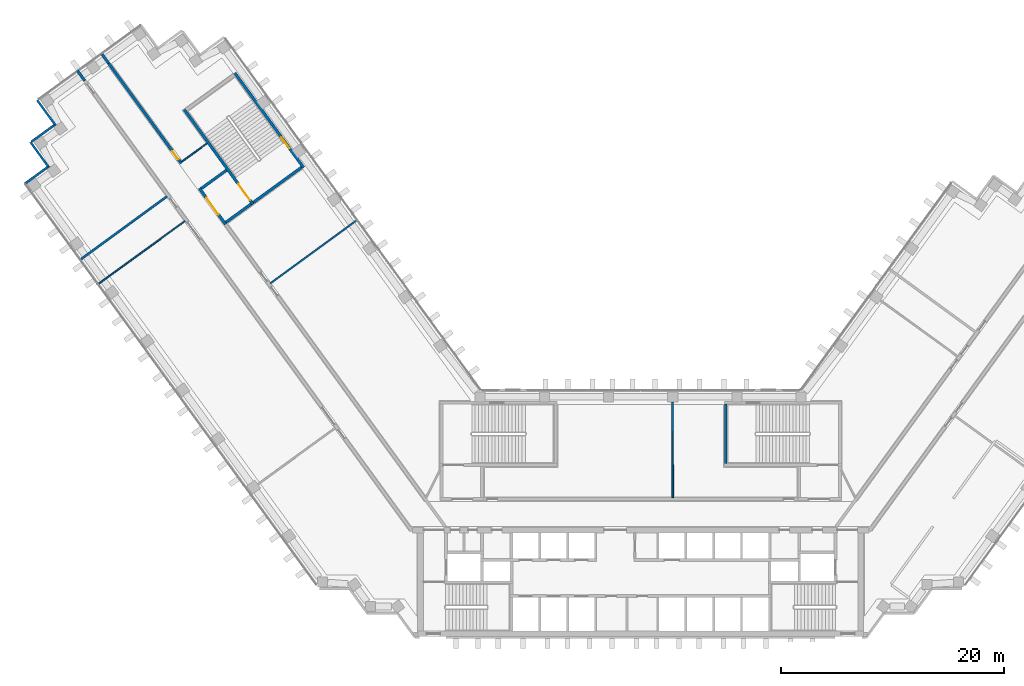
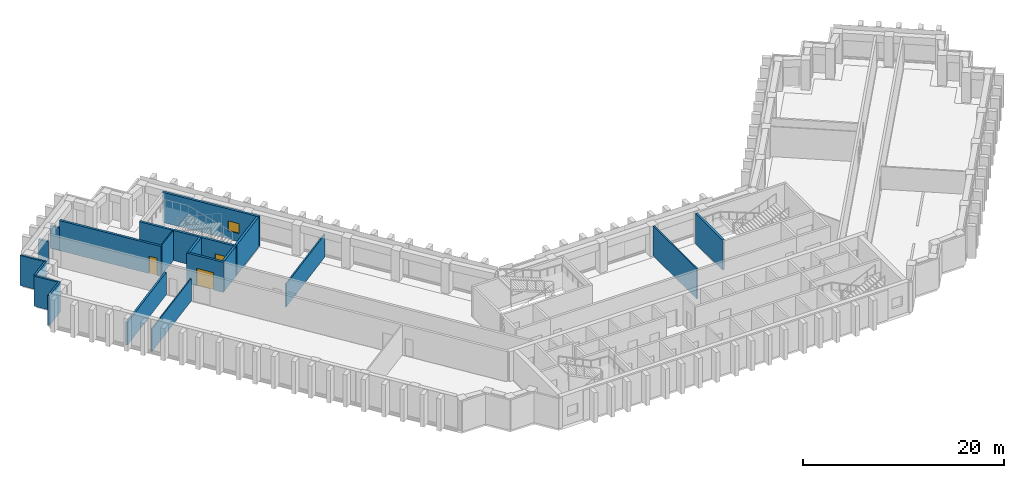
# One storey, part 7 of 12: 19 walls, 3 doors, 1 window, 4 openings.
"""IFC4 building model written with IfcOpenShell, lengths in metres."""

from ifc_helpers import new_model, si_unit, direction, frame, frame_2d, origin, place, context, subcontext, project, spatial, rectangle, extrude, material, layer, layer_set, type_object, element, fill, save


model = new_model("IFC4")

# Units and contexts
model_context = context("Model", 3, precision=1e-05, world=origin(), true_north=direction((0.0, 1.0)))
body_context = subcontext(model_context, "Body", "Model", "MODEL_VIEW")
ifc_project = project(units=[si_unit("LENGTHUNIT", "METRE"), si_unit("AREAUNIT", "SQUARE_METRE"), si_unit("VOLUMEUNIT", "CUBIC_METRE"), si_unit("PLANEANGLEUNIT", "RADIAN"), si_unit("MASSUNIT", "GRAM", prefix="KILO")], contexts=[model_context])

# Site, building, storey
site_placement = place(None, origin())
site = spatial("IfcSite", under=ifc_project, at=site_placement, CompositionType="ELEMENT")
building_placement = place(site_placement, origin())
building = spatial("IfcBuilding", under=site, at=building_placement, Name="Quipu Civic Tower", CompositionType="ELEMENT")
storey_placement = place(building_placement, frame((0.0, 0.0, 109.0)))
storey = spatial("IfcBuildingStorey", under=building, at=storey_placement, Name="L25", CompositionType="ELEMENT", Elevation=109.0)

# Walls
ifc_material_1 = material(Name="Double gypsum plasterboard with mineral wool")
ifc_layer_1 = layer(ifc_material_1, 0.14990234375)
ifc_layer_set_1 = layer_set([ifc_layer_1], Name="Double gypsum plasterboard with mineral wool")
wall_type_1 = type_object("IfcWallType", Name="Acoustic partition 150 plasterboard", PredefinedType="PARTITIONING", material=ifc_layer_set_1)
wall_1_placement = place(storey_placement, frame((-33.22998046875, 20.677001953125, 0.0), z_axis=(0.0, 0.0, 1.0), x_axis=(0.807610282865, 0.589716568371, 0.0)))
element("IfcWall", 1, at=wall_1_placement, inside=storey, type_object=wall_type_1, Name="Partition P03", PredefinedType="PARTITIONING", context=body_context, shape_type="SweptSolid", body=[
    extrude(rectangle(XDim=9.549560546875, YDim=0.14990234375, at=frame_2d((4.77490234375, 0.0))), origin(), (0.0, 0.0, 1.0), 2.75),
])
wall_2_placement = place(storey_placement, frame((2.87890625, 1.449951171875, 0.0), z_axis=(0.0, 0.0, 1.0), x_axis=(-0.002357613104, 0.999997220826, 0.0)))
element("IfcWall", 2, at=wall_2_placement, inside=storey, type_object=wall_type_1, Name="Partition P05", PredefinedType="PARTITIONING", context=body_context, shape_type="SweptSolid", body=[
    extrude(rectangle(XDim=8.594970703125, YDim=0.14990234375, at=frame_2d((4.29736328125, 0.0))), origin(), (0.0, 0.0, 1.0), 3.64990234375),
])
ifc_material_2 = material(Name="Fired clay blockwork", Category="masonry")
ifc_layer_2 = layer(ifc_material_2, 0.199951171875)
ifc_layer_set_2 = layer_set([ifc_layer_2], Name="Fired clay blockwork")
wall_type_2 = type_object("IfcWallType", Name="Blockwork wall 200", PredefinedType="SOLIDWALL", material=ifc_layer_set_2)
wall_3_placement = place(storey_placement, frame((-50.202392578125, 22.85546875, 0.0), z_axis=(0.0, 0.0, 1.0), x_axis=(0.807642555839, 0.589672368352, 0.0)))
element("IfcWall", 3, at=wall_3_placement, inside=storey, type_object=wall_type_2, Name="Partition P08", PredefinedType="SOLIDWALL", context=body_context, shape_type="SweptSolid", body=[
    extrude(rectangle(XDim=9.55078125, YDim=0.199951171875, at=frame_2d((4.775390625, 0.0))), origin(), (0.0, 0.0, 1.0), 2.75),
])
ifc_material_3 = material(Name="Concrete C70/85", Category="concrete")
ifc_layer_3 = layer(ifc_material_3, 0.25)
ifc_layer_set_3 = layer_set([ifc_layer_3], Name="Concrete C70/85")
wall_type_3 = type_object("IfcWallType", Name="Core wall 250", PredefinedType="SHEAR", material=ifc_layer_set_3)
wall_4_placement = place(storey_placement, frame((7.625, 4.5, 0.0), z_axis=(0.0, 0.0, 1.0), x_axis=(0.0, 1.0, 0.0)))
element("IfcWall", 4, at=wall_4_placement, inside=storey, type_object=wall_type_3, Name="Core wall", PredefinedType="SHEAR", context=body_context, shape_type="SweptSolid", body=[
    extrude(rectangle(XDim=5.35009765625, YDim=0.25, at=frame_2d((2.675048828125, 0.0))), origin(), (0.0, 0.0, 1.0), 3.64990234375),
])

# Wall, opening, window
wall_5_placement = place(storey_placement, frame((-30.239501953125, 31.06396484375, 0.0), z_axis=(0.0, 0.0, 1.0), x_axis=(-0.587795589702, 0.809009483706, 0.0)))
wall_5 = element("IfcWall", 5, at=wall_5_placement, inside=storey, type_object=wall_type_3, Name="Core wall", PredefinedType="SHEAR", context=body_context, shape_type="SweptSolid", body=[
    extrude(rectangle(XDim=10.5, YDim=0.25, at=frame_2d((5.25, 0.0))), origin(), (0.0, 0.0, 1.0), 3.64990234375),
])
opening_1_placement = place(wall_5_placement, frame((2.14990234375, 0.0, 1.0)))
opening_1 = element("IfcOpeningElement", 6, at=opening_1_placement, cuts=wall_5, Name="Opening SV-6", PredefinedType="OPENING", context=body_context, shape_type="SweptSolid", body=[
    extrude(rectangle(XDim=1.199951171875, YDim=1.199951171875, at=frame_2d((0.60009765625, 0.60009765625))), frame((0.0, 0.135009765625, 0.0), z_axis=(0.0, -1.0, 0.0), x_axis=(1.0, 0.0, 0.0)), (0.0, 0.0, 1.0), 0.27001953125),
])
ifc_material_4 = material(Name="Aluminium louvre", Category="aluminium")
window_type = type_object("IfcWindowType", Name="Stair ventilation louvre 1200 x 1200", PartitioningType="SINGLE_PANEL", PredefinedType="WINDOW", material=ifc_material_4)
window_placement = place(opening_1_placement, origin())
window = element("IfcWindow", 7, at=window_placement, inside=storey, type_object=window_type, Name="Stair ventilation opening", OverallHeight=1.199951171875, OverallWidth=1.199951171875, PartitioningType="SINGLE_PANEL", PredefinedType="WINDOW", context=body_context, shape_type="SweptSolid", body=[
    extrude(rectangle(XDim=1.199951171875, YDim=1.199951171875, at=frame_2d((0.60009765625, 0.60009765625))), frame((0.0, 0.030029296875, 0.0), z_axis=(0.0, -1.0, 0.0), x_axis=(1.0, 0.0, 0.0)), (0.0, 0.0, 1.0), 0.06005859375),
])
fill(opening_1, window)

# Wall
wall_6_placement = place(storey_placement, frame((-30.414306640625, 31.091796875, 0.0), z_axis=(0.0, 0.0, 1.0), x_axis=(-0.8089984606, -0.587810760999, 0.0)))
element("IfcWall", 8, at=wall_6_placement, inside=storey, type_object=wall_type_3, Name="Core wall", PredefinedType="SHEAR", context=body_context, shape_type="SweptSolid", body=[
    extrude(rectangle(XDim=5.35009765625, YDim=0.25, at=frame_2d((2.675048828125, 0.0))), origin(), (0.0, 0.0, 1.0), 3.64990234375),
])

# Wall, opening, door
wall_7_placement = place(storey_placement, frame((-40.94189453125, 36.26708984375, 0.0), z_axis=(0.0, 0.0, 1.0), x_axis=(0.587795589702, -0.809009483706, 0.0)))
wall_7 = element("IfcWall", 9, at=wall_7_placement, inside=storey, type_object=wall_type_3, Name="Core wall", PredefinedType="SHEAR", context=body_context, shape_type="SweptSolid", body=[
    extrude(rectangle(XDim=10.5, YDim=0.25, at=frame_2d((5.25, 0.0))), origin(), (0.0, 0.0, 1.0), 3.64990234375),
])
opening_2_placement = place(wall_7_placement, frame((8.25, 0.0, 0.0)))
opening_2 = element("IfcOpeningElement", 10, at=opening_2_placement, cuts=wall_7, Name="Opening CD-18", PredefinedType="OPENING", context=body_context, shape_type="SweptSolid", body=[
    extrude(rectangle(XDim=1.800048828125, YDim=2.10009765625, at=frame_2d((0.89990234375, 1.050048828125))), frame((0.0, 0.135009765625, 0.0), z_axis=(0.0, -1.0, 0.0), x_axis=(1.0, 0.0, 0.0)), (0.0, 0.0, 1.0), 0.27001953125),
])
ifc_material_5 = material(Name="Fire rated steel door", Category="steel")
door_type_1 = type_object("IfcDoorType", Name="Fire door FD90 double 1800 x 2100", OperationType="NOTDEFINED", PredefinedType="DOOR", material=ifc_material_5)
door_1_placement = place(opening_2_placement, origin())
door_1 = element("IfcDoor", 11, at=door_1_placement, inside=storey, type_object=door_type_1, Name="Door", OperationType="DOUBLE_DOOR_SINGLE_SWING", OverallHeight=2.10009765625, OverallWidth=1.800048828125, PredefinedType="DOOR", context=body_context, shape_type="SweptSolid", body=[
    extrude(rectangle(XDim=1.800048828125, YDim=2.10009765625, at=frame_2d((0.89990234375, 1.050048828125))), frame((0.0, 0.02490234375, 0.0), z_axis=(0.0, -1.0, 0.0), x_axis=(1.0, 0.0, 0.0)), (0.0, 0.0, 1.0), 0.050048828125),
])
fill(opening_2, door_1)

# Walls
for number, where, z_axis, x_axis, name in (
    (12, (-34.944580078125, 27.800048828125, 0.0), (0.0, 0.0, 1.0), (-0.809041377956, -0.587751689708, 0.0), "Core wall"),
    (13, (-37.14892578125, 30.833984375, 0.0), (0.0, 0.0, 1.0), (-0.808969789945, -0.58785021813, 0.0), "Core wall"),
):
    element("IfcWall", number, at=place(storey_placement, frame(where, z_axis=z_axis, x_axis=x_axis)), inside=storey, type_object=wall_type_3, Name=name, PredefinedType="SHEAR", context=body_context, shape_type="SweptSolid", body=[
        extrude(rectangle(XDim=2.800048828125, YDim=0.25, at=frame_2d((1.39990234375, 0.0))), origin(), (0.0, 0.0, 1.0), 3.64990234375),
    ])

# Wall, opening, door
wall_8_placement = place(storey_placement, frame((-39.588623046875, 29.2158203125, 0.0), z_axis=(0.0, 0.0, 1.0), x_axis=(0.587772420479, -0.809026317077, 0.0)))
wall_8 = element("IfcWall", 14, at=wall_8_placement, inside=storey, type_object=wall_type_3, Name="Core wall", PredefinedType="SHEAR", context=body_context, shape_type="SweptSolid", body=[
    extrude(rectangle(XDim=4.0, YDim=0.25, at=frame_2d((2.0, 0.0))), origin(), (0.0, 0.0, 1.0), 3.64990234375),
])
opening_3_placement = place(wall_8_placement, frame((1.10009765625, 0.0, 0.0)))
opening_3 = element("IfcOpeningElement", 15, at=opening_3_placement, cuts=wall_8, Name="Opening CD-19", PredefinedType="OPENING", context=body_context, shape_type="SweptSolid", body=[
    extrude(rectangle(XDim=1.800048828125, YDim=2.10009765625, at=frame_2d((0.89990234375, 1.050048828125))), frame((0.0, 0.135009765625, 0.0), z_axis=(0.0, -1.0, 0.0), x_axis=(1.0, 0.0, 0.0)), (0.0, 0.0, 1.0), 0.27001953125),
])
door_2_placement = place(opening_3_placement, origin())
door_2 = element("IfcDoor", 16, at=door_2_placement, inside=storey, type_object=door_type_1, Name="Lobby door", OperationType="DOUBLE_DOOR_SINGLE_SWING", OverallHeight=2.10009765625, OverallWidth=1.800048828125, PredefinedType="DOOR", context=body_context, shape_type="SweptSolid", body=[
    extrude(rectangle(XDim=1.800048828125, YDim=2.10009765625, at=frame_2d((0.89990234375, 1.050048828125))), frame((0.0, 0.02490234375, 0.0), z_axis=(0.0, -1.0, 0.0), x_axis=(1.0, 0.0, 0.0)), (0.0, 0.0, 1.0), 0.050048828125),
])
fill(opening_3, door_2)

ifc_material_6 = material(Name="Concrete C50/60", Category="concrete")
ifc_layer_4 = layer(ifc_material_6, 0.25)
ifc_layer_set_4 = layer_set([ifc_layer_4], Name="Concrete C50/60")
wall_type_4 = type_object("IfcWallType", Name="Corridor wall 250 concrete", PredefinedType="SOLIDWALL", material=ifc_layer_set_4)
wall_9_placement = place(storey_placement, frame((-47.724853515625, 40.414306640625, 0.0), z_axis=(0.0, 0.0, 1.0), x_axis=(0.587773291021, -0.809025684612, 0.0)))
wall_9 = element("IfcWall", 17, at=wall_9_placement, inside=storey, type_object=wall_type_4, Name="Corridor wall C03", PredefinedType="SOLIDWALL", context=body_context, shape_type="SweptSolid", body=[
    extrude(rectangle(XDim=11.07861328125, YDim=0.25, at=frame_2d((5.539306640625, 0.0))), origin(), (0.0, 0.0, 1.0), 3.64990234375),
])
opening_4_placement = place(wall_9_placement, frame((9.737060546875, 0.0, 0.0)))
opening_4 = element("IfcOpeningElement", 18, at=opening_4_placement, cuts=wall_9, Name="Opening D008", PredefinedType="OPENING", context=body_context, shape_type="SweptSolid", body=[
    extrude(rectangle(XDim=0.89990234375, YDim=2.10009765625, at=frame_2d((0.449951171875, 1.050048828125))), frame((0.0, 0.135009765625, 0.0), z_axis=(0.0, -1.0, 0.0), x_axis=(1.0, 0.0, 0.0)), (0.0, 0.0, 1.0), 0.27001953125),
])
ifc_material_7 = material(Name="Fire rated timber door set with metal frame", Category="wood")
door_type_2 = type_object("IfcDoorType", Name="Single door 900 x 2100 FD60", OperationType="NOTDEFINED", PredefinedType="DOOR", material=ifc_material_7)
door_3_placement = place(opening_4_placement, origin())
door_3 = element("IfcDoor", 19, at=door_3_placement, inside=storey, type_object=door_type_2, Name="Door D008", OperationType="SINGLE_SWING_RIGHT", OverallHeight=2.10009765625, OverallWidth=0.89990234375, PredefinedType="DOOR", context=body_context, shape_type="SweptSolid", body=[
    extrude(rectangle(XDim=0.89990234375, YDim=2.10009765625, at=frame_2d((0.449951171875, 1.050048828125))), frame((0.0, 0.02490234375, 0.0), z_axis=(0.0, -1.0, 0.0), x_axis=(1.0, 0.0, 0.0)), (0.0, 0.0, 1.0), 0.050048828125),
])
fill(opening_4, door_3)

# Walls
wall_10_placement = place(storey_placement, frame((-49.86865234375, 38.8564453125, 0.0), z_axis=(0.0, 0.0, 1.0), x_axis=(-0.587674273289, 0.809097613712, 0.0)))
element("IfcWall", 20, at=wall_10_placement, inside=storey, type_object=wall_type_4, Name="Corridor wall C02", PredefinedType="SOLIDWALL", context=body_context, shape_type="SweptSolid", body=[
    extrude(rectangle(XDim=1.109130859375, YDim=0.25, at=frame_2d((0.5546875, 0.0))), origin(), (0.0, 0.0, 1.0), 2.75),
])
wall_11_placement = place(storey_placement, frame((-47.724853515625, 40.414306640625, 0.0), z_axis=(0.0, 0.0, 1.0), x_axis=(-0.587840411638, 0.808976915892, 0.0)))
element("IfcWall", 21, at=wall_11_placement, inside=storey, type_object=wall_type_4, Name="Corridor wall C03", PredefinedType="SOLIDWALL", context=body_context, shape_type="SweptSolid", body=[
    extrude(rectangle(XDim=1.008056640625, YDim=0.25, at=frame_2d((0.50390625, 0.0))), origin(), (0.0, 0.0, 1.0), 2.75),
])
ifc_material_8 = material(Name="Gypsum plasterboard on light gauge framing")
ifc_layer_5 = layer(ifc_material_8, 0.1201171875)
ifc_layer_set_5 = layer_set([ifc_layer_5], Name="Gypsum plasterboard on light gauge framing")
wall_type_5 = type_object("IfcWallType", Name="Partition 120 plasterboard", PredefinedType="PARTITIONING", material=ifc_layer_set_5)
wall_12_placement = place(storey_placement, frame((-40.878173828125, 26.269775390625, 0.0), z_axis=(0.0, 0.0, 1.0), x_axis=(-0.809102944047, -0.587666934526, 0.0)))
element("IfcWall", 22, at=wall_12_placement, inside=storey, type_object=wall_type_5, Name="Partition P06", PredefinedType="PARTITIONING", context=body_context, shape_type="SweptSolid", body=[
    extrude(rectangle(XDim=9.550048828125, YDim=0.1201171875, at=frame_2d((4.77490234375, 0.0))), origin(), (0.0, 0.0, 1.0), 2.75),
])
wall_13_placement = place(storey_placement, frame((-41.166015625, 31.59912109375, 0.0), z_axis=(0.0, 0.0, 1.0), x_axis=(0.809090262332, 0.587684394381, 0.0)))
element("IfcWall", 23, at=wall_13_placement, inside=storey, type_object=wall_type_5, Name="Partition P10", PredefinedType="PARTITIONING", context=body_context, shape_type="SweptSolid", body=[
    extrude(rectangle(XDim=2.80078125, YDim=0.1201171875, at=frame_2d((1.400390625, 0.0))), origin(), (0.0, 0.0, 1.0), 3.64990234375),
])
ifc_material_9 = material(Name="Precast concrete C40/50", Category="concrete")
wall_type_6 = type_object("IfcWallType", Name="Precast cladding wall", PredefinedType="SOLIDWALL", material=ifc_material_9)
for number, where, z_axis, x_axis, name in (
    (24, (-54.140380859375, 37.12255859375, 0.0), (0.0, 0.0, 1.0), (0.587822180636, -0.808990163075, 0.0), "Precast cladding wall L25 7"),
    (25, (-52.46533203125, 34.9873046875, 0.0), (0.0, 0.0, 1.0), (-0.809033161865, -0.587762999008, 0.0), "Precast cladding wall L25 8"),
):
    element("IfcWall", number, at=place(storey_placement, frame(where, z_axis=z_axis, x_axis=x_axis)), inside=storey, type_object=wall_type_6, Name=name, PredefinedType="SOLIDWALL", context=body_context, shape_type="SweptSolid", body=[
        extrude(rectangle(XDim=2.699951171875, YDim=0.199951171875, at=frame_2d((1.35009765625, 0.0))), origin(), (0.0, 0.0, 1.0), 3.64990234375),
    ])
wall_14_placement = place(storey_placement, frame((-54.73779296875, 33.351318359375, 0.0), z_axis=(0.0, 0.0, 1.0), x_axis=(0.587779184282, -0.809021403008, 0.0)))
element("IfcWall", 26, at=wall_14_placement, inside=storey, type_object=wall_type_6, Name="Precast cladding wall L25 9", PredefinedType="SOLIDWALL", context=body_context, shape_type="SweptSolid", body=[
    extrude(rectangle(XDim=2.7001953125, YDim=0.199951171875, at=frame_2d((1.35009765625, 0.0))), origin(), (0.0, 0.0, 1.0), 3.64990234375),
])
wall_15_placement = place(storey_placement, frame((-53.062744140625, 31.2158203125, 0.0), z_axis=(0.0, 0.0, 1.0), x_axis=(-0.809033161865, -0.587762999008, 0.0)))
element("IfcWall", 27, at=wall_15_placement, inside=storey, type_object=wall_type_6, Name="Precast cladding wall L25 10", PredefinedType="SOLIDWALL", context=body_context, shape_type="SweptSolid", body=[
    extrude(rectangle(XDim=2.699951171875, YDim=0.199951171875, at=frame_2d((1.35009765625, 0.0))), origin(), (0.0, 0.0, 1.0), 3.64990234375),
])

save(model, "model.ifc")
